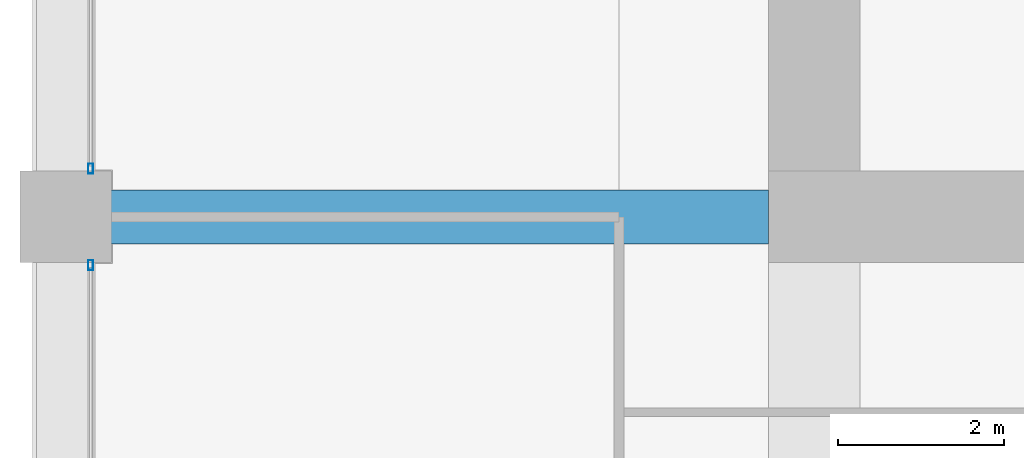
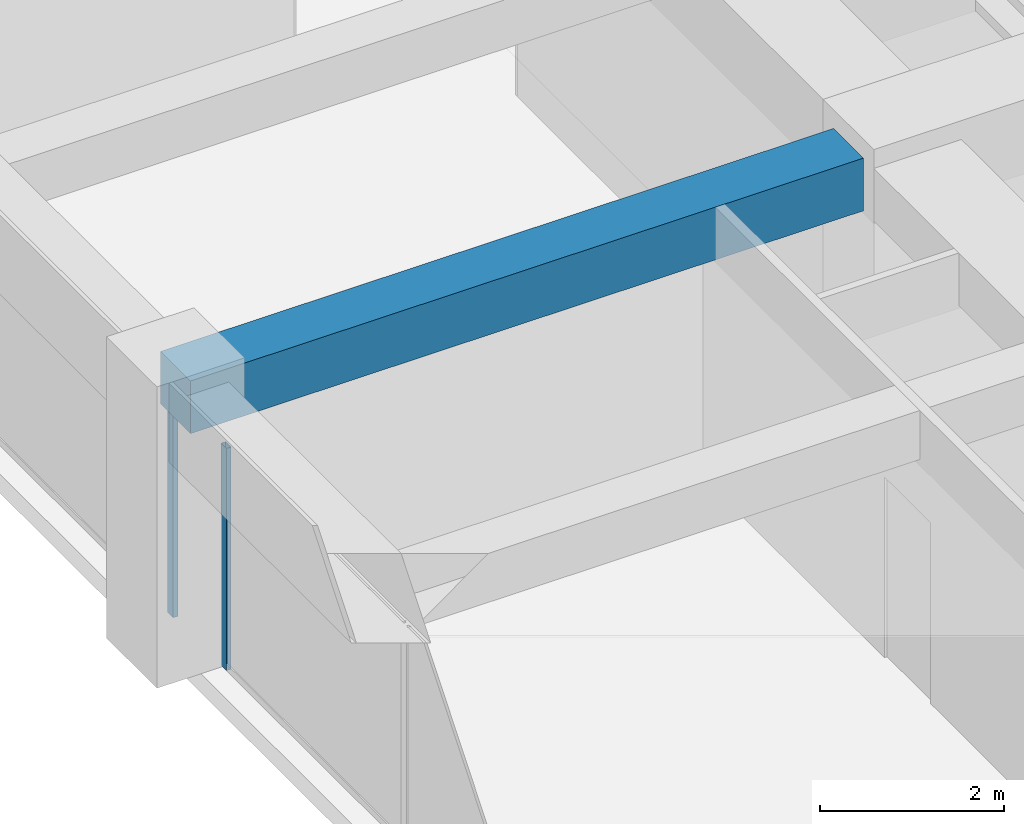
# One storey, part 13 of 44: 2 members, 1 beam, 2 elements without a shape of their own.
"""IFC4 building model written with IfcOpenShell, lengths in metres."""

from ifc_helpers import new_model, si_unit, direction, frame, origin, origin_2d, place, context, subcontext, project, spatial, rectangle, hollow_rectangle, extrude, material, material_profile, profile_set, type_object, element, aggregate, save


model = new_model("IFC4")

# Units and contexts
model_context = context("Model", 3, precision=1e-05, world=origin(), true_north=direction((0.0, 1.0)))
body_context = subcontext(model_context, "Body", "Model", "MODEL_VIEW")
ifc_project = project(units=[si_unit("LENGTHUNIT", "METRE"), si_unit("AREAUNIT", "SQUARE_METRE"), si_unit("VOLUMEUNIT", "CUBIC_METRE"), si_unit("PLANEANGLEUNIT", "RADIAN"), si_unit("MASSUNIT", "GRAM", prefix="KILO")], contexts=[model_context])

# Site, building, storey
site_placement = place(None, origin())
site = spatial("IfcSite", under=ifc_project, at=site_placement, CompositionType="ELEMENT")
building_placement = place(site_placement, origin())
building = spatial("IfcBuilding", under=site, at=building_placement, Name="Zorevar Civic Tower", CompositionType="ELEMENT")
storey_placement = place(building_placement, frame((0.0, 0.0, 283.39990234375)))
storey = spatial("IfcBuildingStorey", under=building, at=storey_placement, Name="L69", CompositionType="ELEMENT", Elevation=283.39990234375)

# Beam
ifc_material_1 = material(Name="Concrete C50/60", Category="concrete")
ifc_material_profile_1 = material_profile(ifc_material_1, rectangle(XDim=0.64990234375, YDim=0.699951171875, at=origin_2d()), Name="RC 650x700")
ifc_profile_set_1 = profile_set([ifc_material_profile_1], Name="Concrete C50/60")
beam_type = type_object("IfcBeamType", Name="Beam RC 650x700", PredefinedType="BEAM", material=ifc_profile_set_1)
beam_placement = place(storey_placement, frame((9.0, 18.0, 3.400146484375), z_axis=(1.0, 0.0, 0.0), x_axis=(0.0, 1.0, 0.0)))
element("IfcBeam", 1, at=beam_placement, inside=storey, type_object=beam_type, Name="Girder L70", PredefinedType="BEAM", context=body_context, shape_type="SweptSolid", body=[
    extrude(rectangle(XDim=0.64990234375, YDim=0.699951171875, at=origin_2d()), origin(), (0.0, 0.0, 1.0), 8.449951171875),
])

# Curtain wall, member
ifc_material_2 = material(Name="Dark grey solar-control glass in black aluminium frame", Category="aluminium")
curtain_wall_type = type_object("IfcCurtainWallType", Name="Curtain wall CW5 top zone", PredefinedType="NOTDEFINED", material=ifc_material_2)
curtain_wall_1_placement = place(storey_placement, origin())
curtain_wall_1 = element("IfcCurtainWall", 2, at=curtain_wall_1_placement, inside=storey, type_object=curtain_wall_type, Name="CW5 L69", PredefinedType="NOTDEFINED")
ifc_material_3 = material(Name="Aluminium, black anodised", Category="aluminium")
ifc_material_profile_2 = material_profile(ifc_material_3, hollow_rectangle(XDim=0.06005859375, YDim=0.1201171875, WallThickness=0.0029296875, at=origin_2d()), Name="AL 120x60x3")
ifc_profile_set_2 = profile_set([ifc_material_profile_2], Name="Aluminium, black anodised")
member_type = type_object("IfcMemberType", Name="CW5 mullion AL 120x60x3", PredefinedType="MULLION", material=ifc_profile_set_2)
member_1_placement = place(storey_placement, frame((9.300048828125, 17.419921875, 0.0), z_axis=(0.0, 0.0, 1.0), x_axis=(-1.0, 0.0, 0.0)))
member_1 = element("IfcMember", 3, at=member_1_placement, type_object=member_type, Name="CW5 mullion 3", PredefinedType="MULLION", context=body_context, shape_type="SweptSolid", body=[
    extrude(hollow_rectangle(XDim=0.06005859375, YDim=0.1201171875, WallThickness=0.0029296875, at=origin_2d()), origin(), (0.0, 0.0, 1.0), 2.9501953125),
])
aggregate(curtain_wall_1, [member_1])

curtain_wall_2_placement = place(storey_placement, origin())
curtain_wall_2 = element("IfcCurtainWall", 4, at=curtain_wall_2_placement, inside=storey, type_object=curtain_wall_type, Name="CW5 L69", PredefinedType="NOTDEFINED")
member_2_placement = place(storey_placement, frame((9.300048828125, 18.580078125, 0.0), z_axis=(0.0, 0.0, 1.0), x_axis=(-1.0, 0.0, 0.0)))
member_2 = element("IfcMember", 5, at=member_2_placement, type_object=member_type, Name="CW5 mullion 1", PredefinedType="MULLION", context=body_context, shape_type="SweptSolid", body=[
    extrude(hollow_rectangle(XDim=0.06005859375, YDim=0.1201171875, WallThickness=0.0029296875, at=origin_2d()), origin(), (0.0, 0.0, 1.0), 2.9501953125),
])
aggregate(curtain_wall_2, [member_2])

save(model, "model.ifc")
